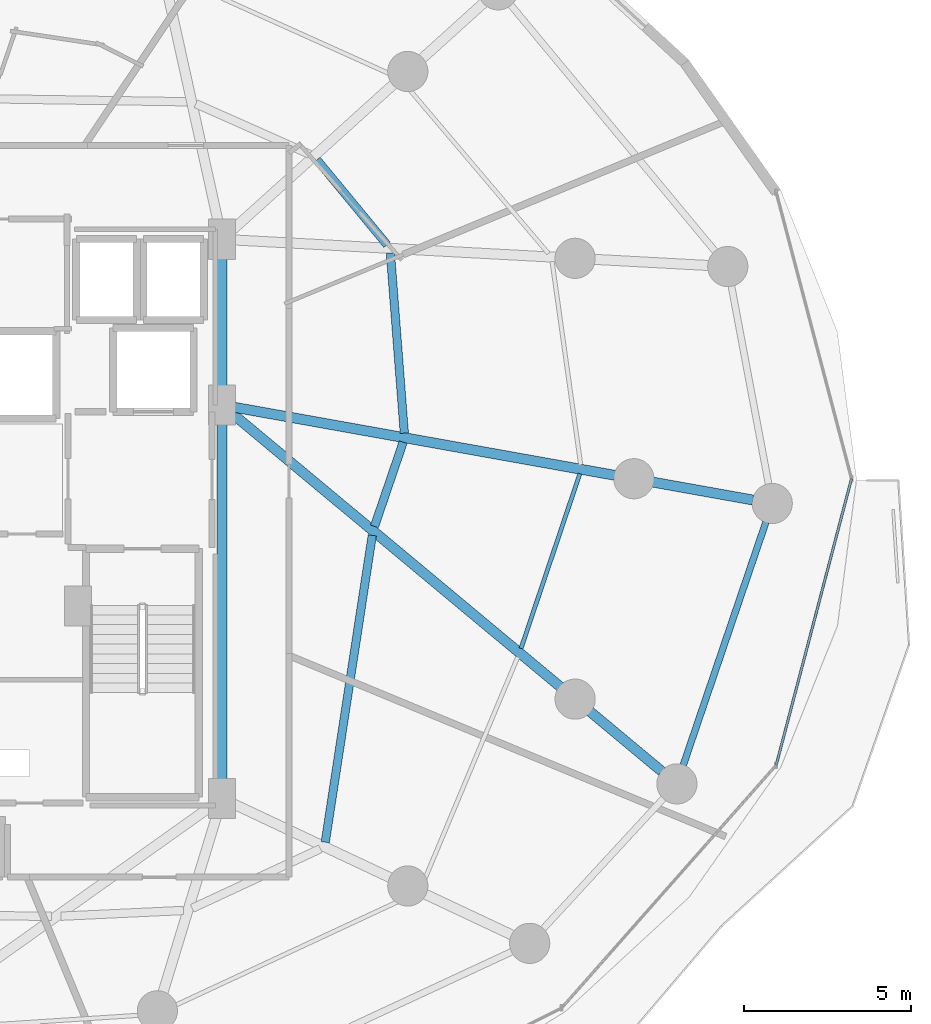
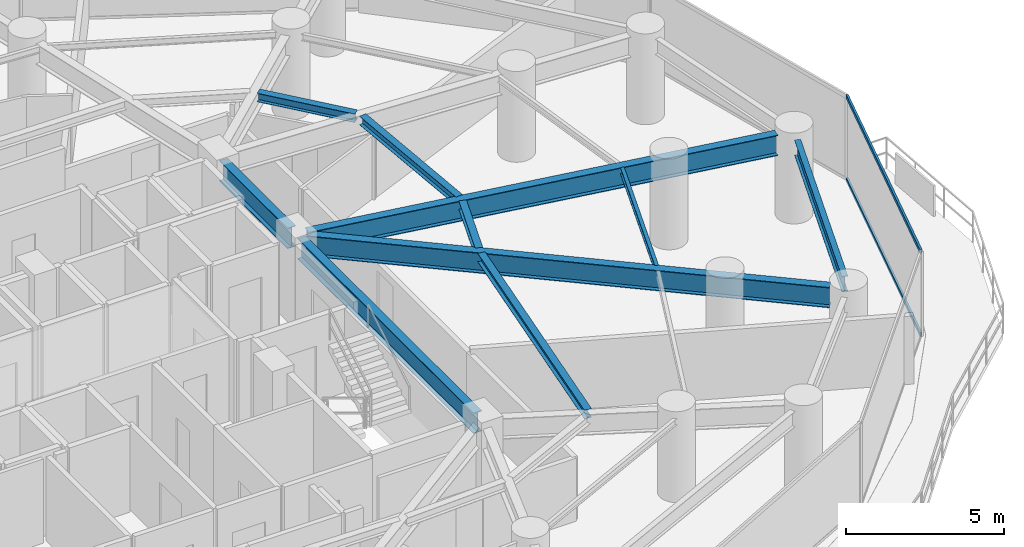
# One storey, part 15 of 35: 10 beams, 2 members, 1 element without a shape of its own.
"""IFC4 building model written with IfcOpenShell, lengths in metres."""

from ifc_helpers import new_model, si_unit, direction, frame, origin, origin_2d, place, context, subcontext, project, spatial, hollow_rectangle, i_section, extrude, material, material_profile, profile_set, type_object, element, aggregate, save


model = new_model("IFC4")

# Units and contexts
model_context = context("Model", 3, precision=1e-05, world=origin(), true_north=direction((0.0, 1.0)))
body_context = subcontext(model_context, "Body", "Model", "MODEL_VIEW")
ifc_project = project(units=[si_unit("LENGTHUNIT", "METRE"), si_unit("AREAUNIT", "SQUARE_METRE"), si_unit("VOLUMEUNIT", "CUBIC_METRE"), si_unit("PLANEANGLEUNIT", "RADIAN"), si_unit("MASSUNIT", "GRAM", prefix="KILO")], contexts=[model_context])

# Site, building, storey
site_placement = place(None, origin())
site = spatial("IfcSite", under=ifc_project, at=site_placement, CompositionType="ELEMENT")
building_placement = place(site_placement, origin())
building = spatial("IfcBuilding", under=site, at=building_placement, Name="Vorneva Point Tower", CompositionType="ELEMENT")
storey_placement = place(building_placement, frame((0.0, 0.0, 48.5)))
storey = spatial("IfcBuildingStorey", under=building, at=storey_placement, Name="L12", CompositionType="ELEMENT", Elevation=48.5)

# Beams
ifc_material_1 = material(Name="Steel S355", Category="steel")
ifc_material_profile_1 = material_profile(ifc_material_1, i_section(OverallWidth=0.300048828125, OverallDepth=0.7880859375, WebThickness=0.014404296875, FlangeThickness=0.02197265625, at=origin_2d()), Name="80Sh1")
ifc_profile_set_1 = profile_set([ifc_material_profile_1], Name="Steel S355")
beam_type_1 = type_object("IfcBeamType", Name="BM-GRD-80Sh1", PredefinedType="USERDEFINED", material=ifc_profile_set_1)
beam_1_placement = place(storey_placement, frame((64.603271484375, 25.364501953125, 2.845947265625), z_axis=(-0.984378532035, 0.176065060895, 0.0), x_axis=(-0.176065060895, -0.984378532035, 0.0)))
element("IfcBeam", 1, at=beam_1_placement, inside=storey, type_object=beam_type_1, Name="L12 Radial Primary Girder 01", ObjectType="GIRDER", PredefinedType="USERDEFINED", context=body_context, shape_type="SweptSolid", body=[
    extrude(i_section(OverallWidth=0.300048828125, OverallDepth=0.7880859375, WebThickness=0.014404296875, FlangeThickness=0.02197265625, at=origin_2d()), origin(), (0.0, 0.0, 1.0), 15.764892578125),
])
beam_2_placement = place(storey_placement, frame((61.883056640625, 17.2626953125, 2.845947265625), z_axis=(-0.768420748131, 0.639944961572, 0.0), x_axis=(-0.639944961572, -0.768420748131, 0.0)))
element("IfcBeam", 2, at=beam_2_placement, inside=storey, type_object=beam_type_1, Name="L12 Radial Primary Girder 16", ObjectType="GIRDER", PredefinedType="USERDEFINED", context=body_context, shape_type="SweptSolid", body=[
    extrude(i_section(OverallWidth=0.300048828125, OverallDepth=0.7880859375, WebThickness=0.014404296875, FlangeThickness=0.02197265625, at=origin_2d()), origin(), (0.0, 0.0, 1.0), 16.7509765625),
])
beam_3_placement = place(storey_placement, frame((48.75, 16.77001953125, 2.845947265625), z_axis=(0.0, 1.0, 0.0), x_axis=(-1.0, 0.0, 0.0)))
element("IfcBeam", 3, at=beam_3_placement, inside=storey, type_object=beam_type_1, Name="L12 Core Tie Girder CT3", ObjectType="GIRDER", PredefinedType="USERDEFINED", context=body_context, shape_type="SweptSolid", body=[
    extrude(i_section(OverallWidth=0.300048828125, OverallDepth=0.7880859375, WebThickness=0.014404296875, FlangeThickness=0.02197265625, at=origin_2d()), origin(), (0.0, 0.0, 1.0), 11.10986328125),
])
beam_4_placement = place(storey_placement, frame((48.75, 28.52001953125, 2.845947265625), z_axis=(0.0, 1.0, 0.0), x_axis=(-1.0, 0.0, 0.0)))
element("IfcBeam", 4, at=beam_4_placement, inside=storey, type_object=beam_type_1, Name="L12 Core Tie Girder CT4", ObjectType="GIRDER", PredefinedType="USERDEFINED", context=body_context, shape_type="SweptSolid", body=[
    extrude(i_section(OverallWidth=0.300048828125, OverallDepth=0.7880859375, WebThickness=0.014404296875, FlangeThickness=0.02197265625, at=origin_2d()), origin(), (0.0, 0.0, 1.0), 4.31005859375),
])
ifc_material_profile_2 = material_profile(ifc_material_1, i_section(OverallWidth=0.1240234375, OverallDepth=0.248046875, WebThickness=0.0048828125, FlangeThickness=0.008056640625, at=origin_2d()), Name="25B1")
ifc_profile_set_2 = profile_set([ifc_material_profile_2], Name="Steel S355")
beam_type_2 = type_object("IfcBeamType", Name="BM-JST-25B1", PredefinedType="JOIST", material=ifc_profile_set_2)
beam_5_placement = place(storey_placement, frame((57.679443359375, 20.930908203125, 3.115966796875), z_axis=(0.31932490039, 0.947645296507, 0.0), x_axis=(-0.947645296507, 0.31932490039, 0.0)))
element("IfcBeam", 5, at=beam_5_placement, inside=storey, type_object=beam_type_2, Name="L12 Secondary Floor Beam 1.16", PredefinedType="JOIST", context=body_context, shape_type="SweptSolid", body=[
    extrude(i_section(OverallWidth=0.1240234375, OverallDepth=0.248046875, WebThickness=0.0048828125, FlangeThickness=0.008056640625, at=origin_2d()), origin(), (0.0, 0.0, 1.0), 5.507080078125),
])
ifc_material_profile_3 = material_profile(ifc_material_1, i_section(OverallWidth=0.2490234375, OverallDepth=0.333984375, WebThickness=0.008056640625, FlangeThickness=0.010986328125, at=origin_2d()), Name="35Sh1")
ifc_profile_set_3 = profile_set([ifc_material_profile_3], Name="Steel S355")
beam_type_3 = type_object("IfcBeamType", Name="BM-SEC-35Sh1", PredefinedType="BEAM", material=ifc_profile_set_3)
beam_6_placement = place(storey_placement, frame((54.1953125, 27.36181640625, 3.072998046875), z_axis=(-0.077180832693, 0.997017110718, 0.0), x_axis=(-0.997017110718, -0.077180832693, 0.0)))
element("IfcBeam", 6, at=beam_6_placement, inside=storey, type_object=beam_type_3, Name="L12 Secondary Floor Beam 2.01", PredefinedType="BEAM", context=body_context, shape_type="SweptSolid", body=[
    extrude(i_section(OverallWidth=0.2490234375, OverallDepth=0.333984375, WebThickness=0.008056640625, FlangeThickness=0.010986328125, at=origin_2d()), origin(), (0.0, 0.0, 1.0), 5.396484375),
])
beam_7_placement = place(storey_placement, frame((53.680419921875, 32.986083984375, 3.072998046875), z_axis=(-0.636632252711, 0.771167540038, 0.0), x_axis=(-0.771167540038, -0.636632252711, 0.0)))
element("IfcBeam", 7, at=beam_7_placement, inside=storey, type_object=beam_type_3, Name="L12 Secondary Floor Beam 2.02", PredefinedType="BEAM", context=body_context, shape_type="SweptSolid", body=[
    extrude(i_section(OverallWidth=0.2490234375, OverallDepth=0.333984375, WebThickness=0.008056640625, FlangeThickness=0.010986328125, at=origin_2d()), origin(), (0.0, 0.0, 1.0), 3.291748046875),
])
beam_8_placement = place(storey_placement, frame((51.833740234375, 15.14453125, 3.072998046875), z_axis=(0.151471423074, 0.988461637087, 0.0), x_axis=(-0.988461637087, 0.151471423074, 0.0)))
element("IfcBeam", 8, at=beam_8_placement, inside=storey, type_object=beam_type_3, Name="L12 Secondary Floor Beam 2.15", PredefinedType="BEAM", context=body_context, shape_type="SweptSolid", body=[
    extrude(i_section(OverallWidth=0.2490234375, OverallDepth=0.333984375, WebThickness=0.008056640625, FlangeThickness=0.010986328125, at=origin_2d()), origin(), (0.0, 0.0, 1.0), 9.27099609375),
])
beam_9_placement = place(storey_placement, frame((53.303466796875, 24.57568359375, 3.072998046875), z_axis=(0.322526289191, 0.946560506666, 0.0), x_axis=(-0.946560506666, 0.322526289191, 0.0)))
element("IfcBeam", 9, at=beam_9_placement, inside=storey, type_object=beam_type_3, Name="L12 Secondary Floor Beam 2.16", PredefinedType="BEAM", context=body_context, shape_type="SweptSolid", body=[
    extrude(i_section(OverallWidth=0.2490234375, OverallDepth=0.333984375, WebThickness=0.008056640625, FlangeThickness=0.010986328125, at=origin_2d()), origin(), (0.0, 0.0, 1.0), 2.659912109375),
])
ifc_material_profile_4 = material_profile(ifc_material_1, i_section(OverallWidth=0.198974609375, OverallDepth=0.595947265625, WebThickness=0.010009765625, FlangeThickness=0.014892578125, at=origin_2d()), Name="60B1")
ifc_profile_set_4 = profile_set([ifc_material_profile_4], Name="Steel S355")
beam_type_4 = type_object("IfcBeamType", Name="BM-SPN-60B1", PredefinedType="SPANDREL", material=ifc_profile_set_4)
beam_10_placement = place(storey_placement, frame((62.523193359375, 17.4404296875, 2.94189453125), z_axis=(0.321909576381, 0.946770418124, 0.0), x_axis=(-0.946770418124, 0.321909576381, 0.0)))
element("IfcBeam", 10, at=beam_10_placement, inside=storey, type_object=beam_type_4, Name="L12 Perimeter Spandrel Ring Beam 16", PredefinedType="SPANDREL", context=body_context, shape_type="SweptSolid", body=[
    extrude(i_section(OverallWidth=0.198974609375, OverallDepth=0.595947265625, WebThickness=0.010009765625, FlangeThickness=0.014892578125, at=origin_2d()), origin(), (0.0, 0.0, 1.0), 7.675048828125),
])

# Curtain wall, members
ifc_material_2 = material(Name="Pale anodised aluminium", Category="aluminium")
curtain_wall_type = type_object("IfcCurtainWallType", Name="CW-HTL-SYS", PredefinedType="NOTDEFINED", material=ifc_material_2)
curtain_wall_placement = place(storey_placement, origin())
curtain_wall = element("IfcCurtainWall", 11, at=curtain_wall_placement, inside=storey, type_object=curtain_wall_type, Name="L12 Unitised Curtain Wall CW-L12-R01", PredefinedType="NOTDEFINED")
ifc_material_profile_5 = material_profile(ifc_material_2, hollow_rectangle(XDim=0.074951171875, YDim=0.14990234375, WallThickness=0.00390625, at=origin_2d()), Name="AL-TRN 150x75x4")
ifc_profile_set_5 = profile_set([ifc_material_profile_5], Name="Pale anodised aluminium")
member_type = type_object("IfcMemberType", Name="CW-TRN-150", PredefinedType="USERDEFINED", material=ifc_profile_set_5)
member_1_placement = place(storey_placement, frame((65.300537109375, 17.447021484375, 0.02001953125), z_axis=(0.254358772746, 0.967109928978, 0.0), x_axis=(-0.967109928978, 0.254358772746, 0.0)))
member_1 = element("IfcMember", 12, at=member_1_placement, type_object=member_type, Name="CW-L12-R01 Transom 03.1", ObjectType="TRANSOM", PredefinedType="USERDEFINED", context=body_context, shape_type="SweptSolid", body=[
    extrude(hollow_rectangle(XDim=0.074951171875, YDim=0.14990234375, WallThickness=0.00390625, at=origin_2d()), origin(), (0.0, 0.0, 1.0), 8.84375),
])
member_2_placement = place(storey_placement, frame((65.300537109375, 17.447021484375, 3.219970703125), z_axis=(0.254358772746, 0.967109928978, 0.0), x_axis=(-0.967109928978, 0.254358772746, 0.0)))
member_2 = element("IfcMember", 13, at=member_2_placement, type_object=member_type, Name="CW-L12-R01 Transom 03.2", ObjectType="TRANSOM", PredefinedType="USERDEFINED", context=body_context, shape_type="SweptSolid", body=[
    extrude(hollow_rectangle(XDim=0.074951171875, YDim=0.14990234375, WallThickness=0.00390625, at=origin_2d()), origin(), (0.0, 0.0, 1.0), 8.84375),
])
aggregate(curtain_wall, [member_1, member_2])

save(model, "model.ifc")
